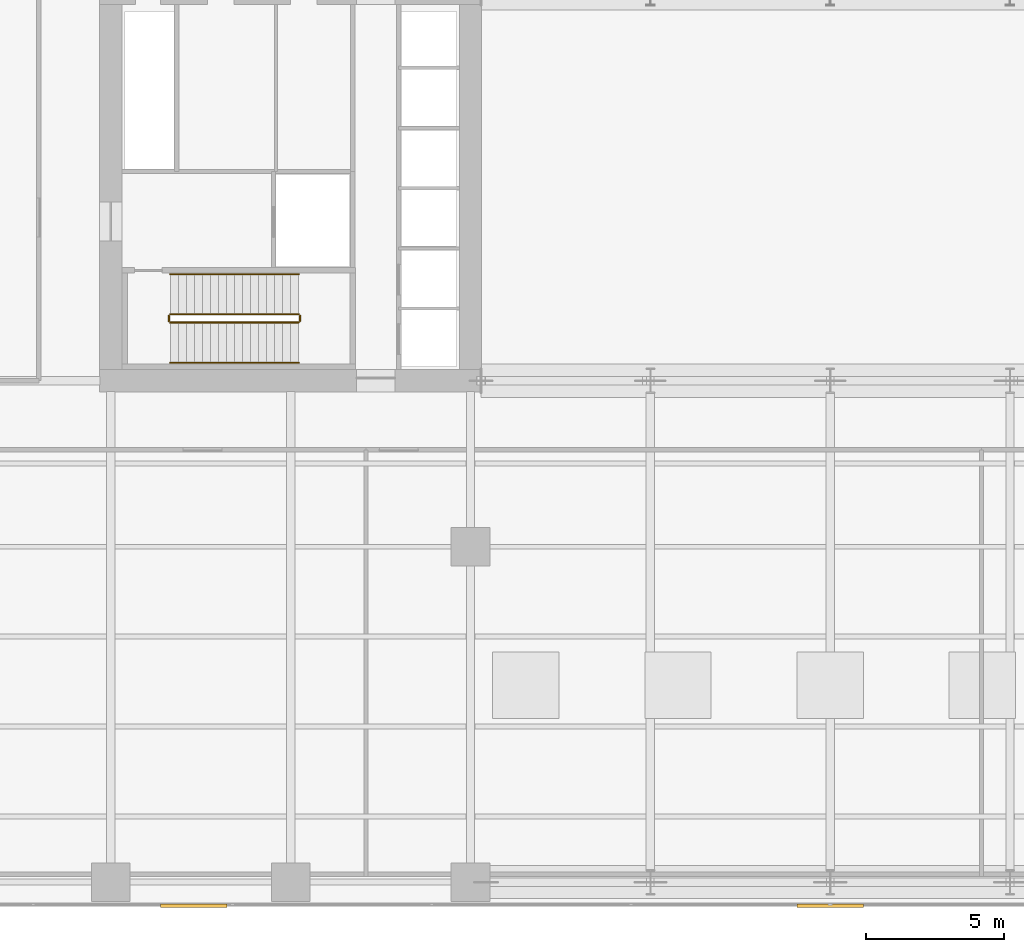
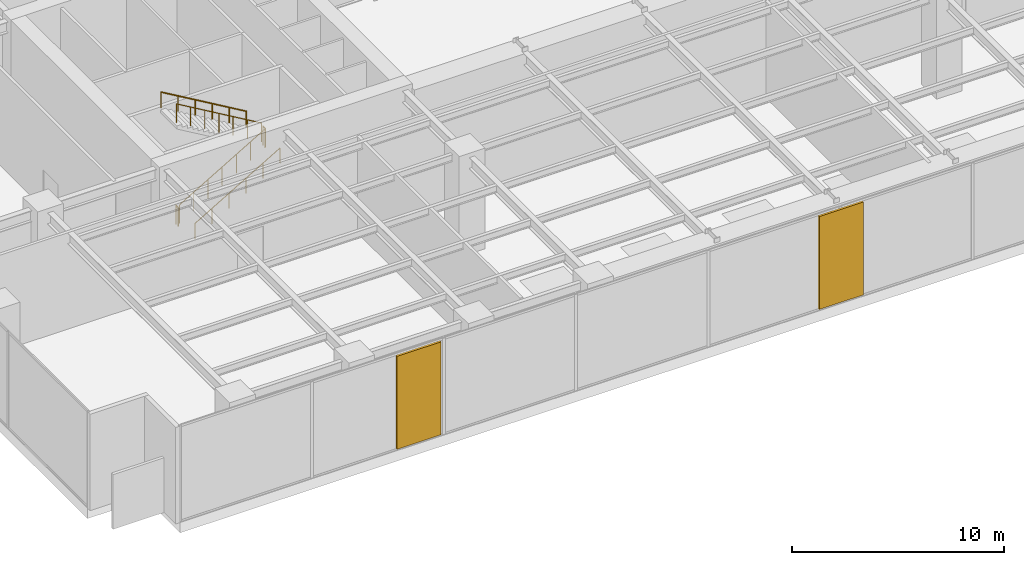
# One storey, part 23 of 25: 6 railings, 2 shading devices.
"""IFC4 building model written with IfcOpenShell, lengths in metres."""

import ifcopenshell
import ifcopenshell.guid

model = None  # the IFC model being written
_history = None  # IfcOwnerHistory: only IFC2X3 demands one
_inside = {}  # id of a spatial element -> (the spatial element, [elements in it])
_under = {}  # id of a project, library or spatial element -> (it, [spatial elements below it])
_declared = {}  # id of a project -> (the project, [libraries it declares])
_typed = {}  # id of a type object -> (the type object, [elements of that type])
_made_of = {}  # id of a material, layer set ... -> (it, [elements and type objects made of it])


def new_model(schema):
    """Start an empty IFC model of exactly this schema.

    Asked for "IFC4X3", IfcOpenShell would pick the latest addendum, in which some entities
    have other attributes; the version numbers below select the first issue.
    IFC2X3 requires an IfcOwnerHistory on every rooted entity: one is made here for all.
    """
    global model, _history
    if schema == "IFC4X3":
        model = ifcopenshell.file(schema_version=(4, 3, 0, 0))
    else:
        model = ifcopenshell.file(schema=schema)
    _inside.clear()
    _under.clear()
    _declared.clear()
    _typed.clear()
    _made_of.clear()
    _history = None
    if model.schema == "IFC2X3":
        org = make("IfcOrganization", Name="unknown")
        user = make(
            "IfcPersonAndOrganization",
            ThePerson=make("IfcPerson", FamilyName="unknown"),
            TheOrganization=org,
        )
        app = make(
            "IfcApplication",
            ApplicationDeveloper=org,
            Version="unknown",
            ApplicationFullName="unknown",
            ApplicationIdentifier="unknown",
        )
        _history = make(
            "IfcOwnerHistory",
            OwningUser=user,
            OwningApplication=app,
            ChangeAction="ADDED",
            CreationDate=0,
        )
    return model


def make(cls, **values):
    """One entity of the class cls with the attributes given. An attribute that is None is left unset."""
    return model.create_entity(
        cls, **{name: value for name, value in values.items() if value is not None}
    )


def rooted(cls, **values):
    """An entity with a GlobalId (a new one), such as an element, a storey or a relation."""
    return make(cls, GlobalId=ifcopenshell.guid.new(), OwnerHistory=_history, **values)


def si_unit(unit_type, name, prefix=None):
    """IfcSIUnit, for example si_unit("LENGTHUNIT", "METRE", prefix="MILLI")."""
    return make("IfcSIUnit", UnitType=unit_type, Prefix=prefix, Name=name)


def assignment(units):
    """IfcUnitAssignment: the units of a project."""
    return None if units is None else make("IfcUnitAssignment", Units=units)


def point(xyz):
    """IfcCartesianPoint."""
    return None if xyz is None else make("IfcCartesianPoint", Coordinates=xyz)


def direction(xyz):
    """IfcDirection."""
    return None if xyz is None else make("IfcDirection", DirectionRatios=xyz)


def frame(location, z_axis=None, x_axis=None):
    """IfcAxis2Placement3D, a coordinate frame: its origin and axes. An axis left out is left unset."""
    return make(
        "IfcAxis2Placement3D",
        Location=point(location),
        Axis=direction(z_axis),
        RefDirection=direction(x_axis),
    )


def frame_2d(location, x_axis=None):
    """IfcAxis2Placement2D, a coordinate frame in the plane: its origin and x axis."""
    return make(
        "IfcAxis2Placement2D", Location=point(location), RefDirection=direction(x_axis)
    )


def origin():
    """The frame at (0, 0, 0) with its axes left unset."""
    return frame((0.0, 0.0, 0.0))


def origin_2d():
    """The frame at (0, 0) in the plane with its x axis left unset."""
    return frame_2d((0.0, 0.0))


def place(relative_to, where):
    """IfcLocalPlacement: puts the frame where relative to a parent placement (None: the world)."""
    return make(
        "IfcLocalPlacement", PlacementRelTo=relative_to, RelativePlacement=where
    )


def context(
    kind, dimensions, precision=None, world=None, true_north=None, identifier=None
):
    """IfcGeometricRepresentationContext, for example the 3D "Model" context."""
    return make(
        "IfcGeometricRepresentationContext",
        ContextIdentifier=identifier,
        ContextType=kind,
        CoordinateSpaceDimension=dimensions,
        Precision=precision,
        WorldCoordinateSystem=world,
        TrueNorth=true_north,
    )


def subcontext(parent, identifier, kind, view, scale=None):
    """IfcGeometricRepresentationSubContext, for example "Body" below "Model"."""
    return make(
        "IfcGeometricRepresentationSubContext",
        ContextIdentifier=identifier,
        ContextType=kind,
        ParentContext=parent,
        TargetScale=scale,
        TargetView=view,
    )


def project(units=None, contexts=None):
    """IfcProject with its units and contexts."""
    return rooted(
        "IfcProject",
        Name="project",
        RepresentationContexts=contexts,
        UnitsInContext=assignment(units),
    )


def spatial(cls, under=None, at=None, **own):
    """A site, building, storey or space (cls), placed at a placement, below another one or the project."""
    s = rooted(cls, ObjectPlacement=at, **own)
    if under is not None:
        _under.setdefault(under.id(), (under, []))[1].append(s)
    return s


def profile(cls, at=None, kind="AREA", **sizes):
    """A parametric profile (cls). Its sizes go by their IFC names, for example OverallWidth=200.0."""
    return make(cls, ProfileType=kind, Position=at, **sizes)


def rectangle(**sizes):
    """IfcRectangleProfileDef."""
    return profile("IfcRectangleProfileDef", **sizes)


def circle(**sizes):
    """IfcCircleProfileDef."""
    return profile("IfcCircleProfileDef", **sizes)


def extrude(swept, where, along, depth):
    """IfcExtrudedAreaSolid: the profile swept, set in the frame where, extruded along a direction by depth."""
    return make(
        "IfcExtrudedAreaSolid",
        SweptArea=swept,
        Position=where,
        ExtrudedDirection=direction(along),
        Depth=depth,
    )


def shape(context_of_items, identifier, shape_type, items):
    """IfcShapeRepresentation: the items that make up one representation, for example the "Body"."""
    return make(
        "IfcShapeRepresentation",
        ContextOfItems=context_of_items,
        RepresentationIdentifier=identifier,
        RepresentationType=shape_type,
        Items=items,
    )


def material(Name=None, Category=None):
    """IfcMaterial."""
    return make("IfcMaterial", Name=Name, Category=Category)


def layer(
    of_material, thickness, ventilated=None, Name=None, Category=None, Priority=None
):
    """IfcMaterialLayer: one layer of a wall or slab, of a material (None: an air gap)."""
    return make(
        "IfcMaterialLayer",
        Material=of_material,
        LayerThickness=thickness,
        IsVentilated=ventilated,
        Name=Name,
        Category=Category,
        Priority=Priority,
    )


def layer_set(layers, Name=None):
    """IfcMaterialLayerSet."""
    return make("IfcMaterialLayerSet", MaterialLayers=layers, LayerSetName=Name)


def made_of(thing, what):
    """Note that an element or type object is made of a material, layer set ...; save() writes the relation."""
    if what is not None:
        _made_of.setdefault(what.id(), (what, []))[1].append(thing)
    return thing


def type_object(cls, material=None, **own):
    """A type object (cls), such as IfcWallType, which elements share."""
    return made_of(rooted(cls, **own), material)


def element(
    cls,
    number,
    at=None,
    inside=None,
    cuts=None,
    type_object=None,
    material=None,
    context=None,
    identifier="Body",
    shape_type=None,
    held_by="IfcProductDefinitionShape",
    body=None,
    shapes=None,
    **own,
):
    """One element of the class cls, such as IfcWall. Its Tag is "e" and its number.

    at: its placement. inside: the storey or other place that contains it. cuts: it is an
    opening in that element (IfcRelVoidsElement). A single representation is given by context,
    identifier, shape_type and body (its items); several are given by shapes. held_by: the class
    of the entity that holds the representations. save() writes the other relations.
    """
    e = rooted(cls, Tag="e%d" % number, ObjectPlacement=at, **own)
    if body is not None:
        shapes = [shape(context, identifier, shape_type, body)]
    if shapes is not None:
        e.Representation = make(held_by, Representations=shapes)
    if inside is not None:
        _inside.setdefault(inside.id(), (inside, []))[1].append(e)
    if cuts is not None:
        rooted(
            "IfcRelVoidsElement", RelatingBuildingElement=cuts, RelatedOpeningElement=e
        )
    if type_object is not None:
        _typed.setdefault(type_object.id(), (type_object, []))[1].append(e)
    return made_of(e, material)


def aggregate(whole, parts):
    """IfcRelAggregates: a whole, such as a stair, and the parts it consists of."""
    return rooted("IfcRelAggregates", RelatingObject=whole, RelatedObjects=parts)


def save(model, path):
    """Write the relations noted so far, then the file.

    IfcRelAggregates (storeys below a building ...), IfcRelContainedInSpatialStructure (elements
    in a storey), IfcRelDefinesByType, IfcRelAssociatesMaterial and IfcRelDeclares: one each for
    every whole, place, type object, material and project.
    """
    for whole, parts in _under.values():
        aggregate(whole, parts)
    for where, things in _inside.values():
        rooted(
            "IfcRelContainedInSpatialStructure",
            RelatedElements=things,
            RelatingStructure=where,
        )
    for kind, things in _typed.values():
        rooted("IfcRelDefinesByType", RelatedObjects=things, RelatingType=kind)
    for what, things in _made_of.values():
        rooted("IfcRelAssociatesMaterial", RelatedObjects=things, RelatingMaterial=what)
    for by, libraries in _declared.values():
        rooted("IfcRelDeclares", RelatingContext=by, RelatedDefinitions=libraries)
    model.write(path)


model = new_model("IFC4")

# Units and contexts
model_context = context("Model", 3, precision=1e-05, world=origin(), true_north=direction((0.0, 1.0)))
body_context = subcontext(model_context, "Body", "Model", "MODEL_VIEW")
ifc_project = project(units=[si_unit("LENGTHUNIT", "METRE"), si_unit("AREAUNIT", "SQUARE_METRE"), si_unit("VOLUMEUNIT", "CUBIC_METRE"), si_unit("PLANEANGLEUNIT", "RADIAN"), si_unit("MASSUNIT", "GRAM", prefix="KILO")], contexts=[model_context])

# Site, building, storey
site_placement = place(None, origin())
site = spatial("IfcSite", under=ifc_project, at=site_placement, CompositionType="ELEMENT")
building_placement = place(site_placement, origin())
building = spatial("IfcBuilding", under=site, at=building_placement, Name="Putna Gate Headquarters", CompositionType="ELEMENT")
storey_placement = place(building_placement, frame((0.0, 0.0, 22.0)))
storey = spatial("IfcBuildingStorey", under=building, at=storey_placement, Name="L04", CompositionType="ELEMENT", Elevation=22.0)

# Railings
ifc_material_1 = material(Name="Powder-coated steel stair guardrail", Category="steel")
railing_type_1 = type_object("IfcRailingType", Name="RAIL-STAIR-GUARD-1100", PredefinedType="GUARDRAIL", material=ifc_material_1)
railing_1_placement = place(storey_placement, frame((15.14990234375, 21.10009765625, 0.170654296875)))
element("IfcRailing", 1, at=railing_1_placement, inside=storey, type_object=railing_type_1, Name="L04 ST1 stair guard 1", PredefinedType="GUARDRAIL", context=body_context, shape_type="SweptSolid", body=[
    extrude(circle(Radius=0.02392578125, at=origin_2d()), frame((0.0, 0.0, 1.076171875), z_axis=(0.861954034, 0.0, 0.506986433025), x_axis=(0.0, 1.0, 0.0)), (0.0, 0.0, 1.0), 5.38330078125),
    extrude(circle(Radius=0.02099609375, at=origin_2d()), origin(), (0.0, 0.0, 1.0), 1.052001953125),
    extrude(circle(Radius=0.02099609375, at=origin_2d()), frame((0.7734375, 0.0, 0.454833984375)), (0.0, 0.0, 1.0), 1.052001953125),
    extrude(circle(Radius=0.02099609375, at=origin_2d()), frame((1.546630859375, 0.0, 0.90966796875)), (0.0, 0.0, 1.0), 1.052001953125),
    extrude(circle(Radius=0.02099609375, at=origin_2d()), frame((2.320068359375, 0.0, 1.36474609375)), (0.0, 0.0, 1.0), 1.052001953125),
    extrude(circle(Radius=0.02099609375, at=origin_2d()), frame((3.093505859375, 0.0, 1.819580078125)), (0.0, 0.0, 1.0), 1.052001953125),
    extrude(circle(Radius=0.02099609375, at=origin_2d()), frame((3.86669921875, 0.0, 2.2744140625)), (0.0, 0.0, 1.0), 1.052001953125),
    extrude(circle(Radius=0.02099609375, at=origin_2d()), frame((4.64013671875, 0.0, 2.729248046875)), (0.0, 0.0, 1.0), 1.052001953125),
])
railing_2_placement = place(storey_placement, frame((19.840087890625, 21.14990234375, 2.89990234375)))
element("IfcRailing", 2, at=railing_2_placement, inside=storey, type_object=railing_type_1, Name="L04 ST1 stair guard 2", PredefinedType="GUARDRAIL", context=body_context, shape_type="SweptSolid", body=[
    extrude(circle(Radius=0.02392578125, at=origin_2d()), frame((0.0, 0.0, 1.076171875), z_axis=(0.0, 1.0, 0.0), x_axis=(-1.0, 0.0, 0.0)), (0.0, 0.0, 1.0), 0.2001953125),
    extrude(circle(Radius=0.02099609375, at=origin_2d()), origin(), (0.0, 0.0, 1.0), 1.052001953125),
    extrude(circle(Radius=0.02099609375, at=origin_2d()), frame((0.0, 0.2001953125, 0.0)), (0.0, 0.0, 1.0), 1.052001953125),
])
railing_3_placement = place(storey_placement, frame((19.7900390625, 21.39990234375, 3.070556640625)))
element("IfcRailing", 3, at=railing_3_placement, inside=storey, type_object=railing_type_1, Name="L04 ST1 stair guard 3", PredefinedType="GUARDRAIL", context=body_context, shape_type="SweptSolid", body=[
    extrude(circle(Radius=0.02392578125, at=origin_2d()), frame((0.0, 0.0, 1.076171875), z_axis=(-0.861934215158, 0.0, 0.507020126563), x_axis=(0.0, -1.0, 0.0)), (0.0, 0.0, 1.0), 5.38330078125),
    extrude(circle(Radius=0.02099609375, at=origin_2d()), origin(), (0.0, 0.0, 1.0), 1.052001953125),
    extrude(circle(Radius=0.02099609375, at=origin_2d()), frame((-0.7734375, 0.0, 0.454833984375)), (0.0, 0.0, 1.0), 1.052001953125),
    extrude(circle(Radius=0.02099609375, at=origin_2d()), frame((-1.546630859375, 0.0, 0.909912109375)), (0.0, 0.0, 1.0), 1.052001953125),
    extrude(circle(Radius=0.02099609375, at=origin_2d()), frame((-2.320068359375, 0.0, 1.36474609375)), (0.0, 0.0, 1.0), 1.052001953125),
    extrude(circle(Radius=0.02099609375, at=origin_2d()), frame((-3.093505859375, 0.0, 1.819580078125)), (0.0, 0.0, 1.0), 1.052001953125),
    extrude(circle(Radius=0.02099609375, at=origin_2d()), frame((-3.86669921875, 0.0, 2.274658203125)), (0.0, 0.0, 1.0), 1.052001953125),
    extrude(circle(Radius=0.02099609375, at=origin_2d()), frame((-4.64013671875, 0.0, 2.7294921875)), (0.0, 0.0, 1.0), 1.052001953125),
])
railing_4_placement = place(storey_placement, frame((15.10009765625, 21.14990234375, 0.0)))
element("IfcRailing", 4, at=railing_4_placement, inside=storey, type_object=railing_type_1, Name="L04 ST1 stair guard 4", PredefinedType="GUARDRAIL", context=body_context, shape_type="SweptSolid", body=[
    extrude(circle(Radius=0.02392578125, at=origin_2d()), frame((0.0, 0.0, 1.076171875), z_axis=(0.0, 1.0, 0.0), x_axis=(-1.0, 0.0, 0.0)), (0.0, 0.0, 1.0), 0.2001953125),
    extrude(circle(Radius=0.02099609375, at=origin_2d()), origin(), (0.0, 0.0, 1.0), 1.052001953125),
    extrude(circle(Radius=0.02099609375, at=origin_2d()), frame((0.0, 0.2001953125, 0.0)), (0.0, 0.0, 1.0), 1.052001953125),
])
ifc_material_2 = material(Name="Brushed stainless steel handrail", Category="steel")
railing_type_2 = type_object("IfcRailingType", Name="RAIL-STAIR-HAND-900", PredefinedType="HANDRAIL", material=ifc_material_2)
railing_5_placement = place(storey_placement, frame((15.14990234375, 19.64990234375, 0.170654296875)))
element("IfcRailing", 5, at=railing_5_placement, inside=storey, type_object=railing_type_2, Name="L04 ST1 stair handrail 1", PredefinedType="HANDRAIL", context=body_context, shape_type="SweptSolid", body=[
    extrude(circle(Radius=0.02392578125, at=origin_2d()), frame((0.0, 0.0, 0.8759765625), z_axis=(0.861954034, 0.0, 0.506986433025), x_axis=(0.0, 1.0, 0.0)), (0.0, 0.0, 1.0), 5.38330078125),
    extrude(circle(Radius=0.02099609375, at=origin_2d()), origin(), (0.0, 0.0, 1.0), 0.851806640625),
    extrude(circle(Radius=0.02099609375, at=origin_2d()), frame((0.927978515625, 0.0, 0.5458984375)), (0.0, 0.0, 1.0), 0.851806640625),
    extrude(circle(Radius=0.02099609375, at=origin_2d()), frame((1.85595703125, 0.0, 1.091796875)), (0.0, 0.0, 1.0), 0.851806640625),
    extrude(circle(Radius=0.02099609375, at=origin_2d()), frame((2.7841796875, 0.0, 1.637451171875)), (0.0, 0.0, 1.0), 0.851806640625),
    extrude(circle(Radius=0.02099609375, at=origin_2d()), frame((3.712158203125, 0.0, 2.183349609375)), (0.0, 0.0, 1.0), 0.851806640625),
    extrude(circle(Radius=0.02099609375, at=origin_2d()), frame((4.64013671875, 0.0, 2.729248046875)), (0.0, 0.0, 1.0), 0.851806640625),
])
railing_6_placement = place(storey_placement, frame((19.7900390625, 22.85009765625, 3.070556640625)))
element("IfcRailing", 6, at=railing_6_placement, inside=storey, type_object=railing_type_2, Name="L04 ST1 stair handrail 2", PredefinedType="HANDRAIL", context=body_context, shape_type="SweptSolid", body=[
    extrude(circle(Radius=0.02392578125, at=origin_2d()), frame((0.0, 0.0, 0.8759765625), z_axis=(-0.861934215158, 0.0, 0.507020126563), x_axis=(0.0, -1.0, 0.0)), (0.0, 0.0, 1.0), 5.38330078125),
    extrude(circle(Radius=0.02099609375, at=origin_2d()), origin(), (0.0, 0.0, 1.0), 0.851806640625),
    extrude(circle(Radius=0.02099609375, at=origin_2d()), frame((-0.927978515625, 0.0, 0.5458984375)), (0.0, 0.0, 1.0), 0.851806640625),
    extrude(circle(Radius=0.02099609375, at=origin_2d()), frame((-1.85595703125, 0.0, 1.091796875)), (0.0, 0.0, 1.0), 0.851806640625),
    extrude(circle(Radius=0.02099609375, at=origin_2d()), frame((-2.7841796875, 0.0, 1.6376953125)), (0.0, 0.0, 1.0), 0.851806640625),
    extrude(circle(Radius=0.02099609375, at=origin_2d()), frame((-3.712158203125, 0.0, 2.18359375)), (0.0, 0.0, 1.0), 0.851806640625),
    extrude(circle(Radius=0.02099609375, at=origin_2d()), frame((-4.64013671875, 0.0, 2.7294921875)), (0.0, 0.0, 1.0), 0.851806640625),
])

# Shading devices
ifc_material_3 = material(Name="Anodised bronze acoustic weather louvre", Category="aluminium")
ifc_layer = layer(ifc_material_3, 0.1201171875)
ifc_layer_set = layer_set([ifc_layer], Name="Anodised bronze acoustic weather louvre")
shading_device_type = type_object("IfcShadingDeviceType", Name="SHADE-PLANT-LOUVRE", PredefinedType="JALOUSIE", material=ifc_layer_set)
for number, where, z_axis, x_axis, name in (
    (7, (16.0, 0.030029296875, 0.099853515625), (0.0, 0.0, 1.0), (1.0, 0.0, 0.0), "L04 Bronze Acoustic Louvre S1"),
    (8, (39.0, 0.030029296875, 0.099853515625), (0.0, 0.0, 1.0), (1.0, 0.0, 0.0), "L04 Bronze Acoustic Louvre S2"),
):
    element("IfcShadingDevice", number, at=place(storey_placement, frame(where, z_axis=z_axis, x_axis=x_axis)), inside=storey, type_object=shading_device_type, Name=name, PredefinedType="JALOUSIE", context=body_context, shape_type="SweptSolid", body=[
        extrude(rectangle(XDim=2.39990234375, YDim=0.1201171875, at=origin_2d()), origin(), (0.0, 0.0, 1.0), 5.35009765625),
    ])

save(model, "model.ifc")
